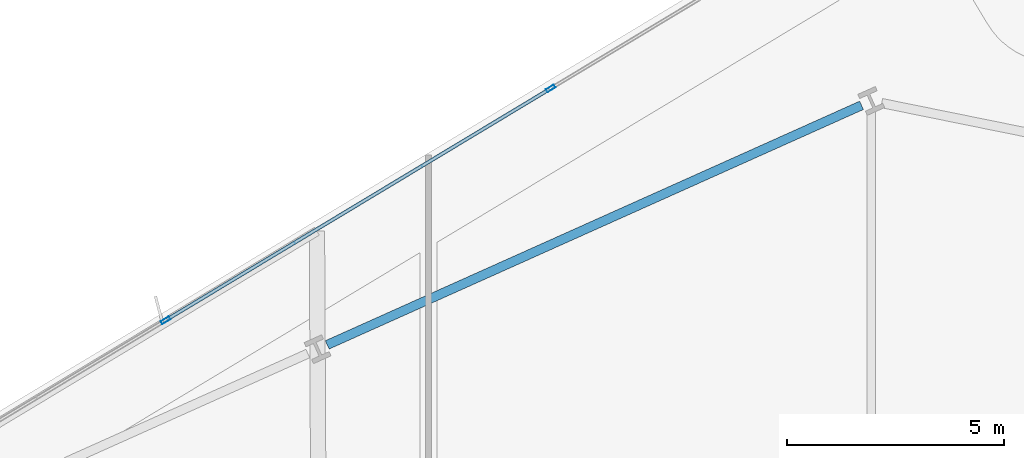
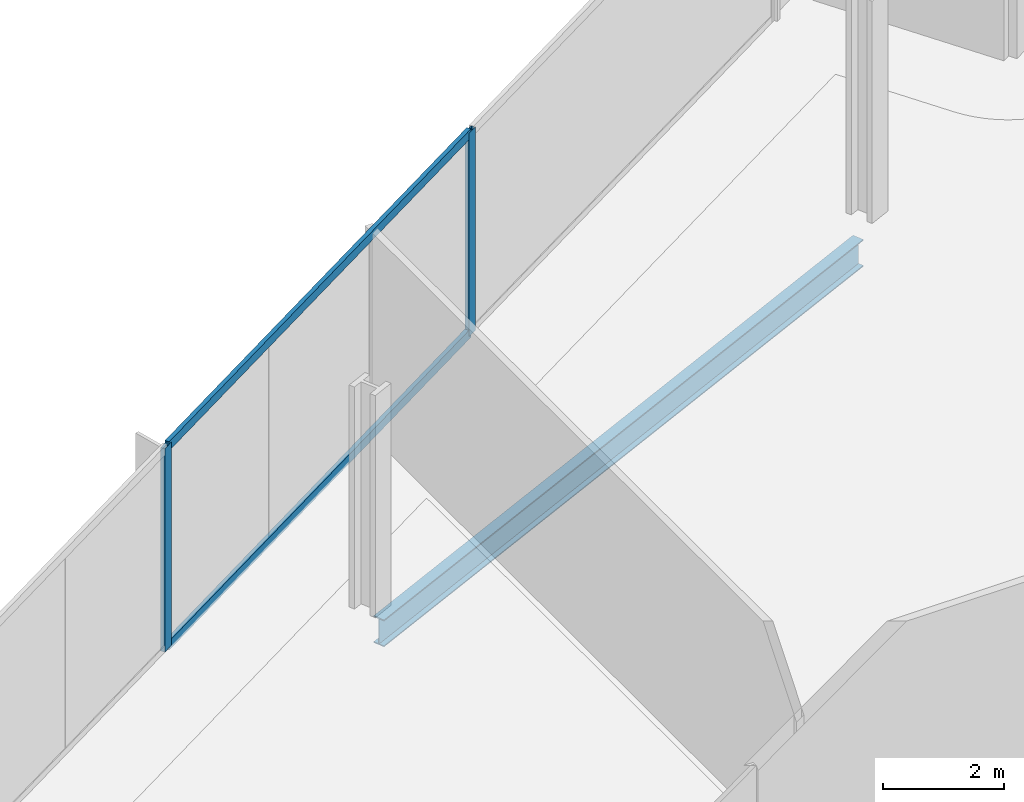
# One storey, part 15 of 30: 4 members, 1 beam, 1 element without a shape of its own.
"""IFC4 building model written with IfcOpenShell, lengths in metres."""

from ifc_helpers import new_model, si_unit, direction, frame, origin, origin_2d, place, context, subcontext, project, spatial, hollow_rectangle, i_section, extrude, material, material_profile, profile_set, type_object, element, aggregate, save


model = new_model("IFC4")

# Units and contexts
model_context = context("Model", 3, precision=1e-05, world=origin(), true_north=direction((0.0, 1.0)))
body_context = subcontext(model_context, "Body", "Model", "MODEL_VIEW")
ifc_project = project(units=[si_unit("LENGTHUNIT", "METRE"), si_unit("AREAUNIT", "SQUARE_METRE"), si_unit("VOLUMEUNIT", "CUBIC_METRE"), si_unit("PLANEANGLEUNIT", "RADIAN"), si_unit("MASSUNIT", "GRAM", prefix="KILO")], contexts=[model_context])

# Site, building, storey
site_placement = place(None, origin())
site = spatial("IfcSite", under=ifc_project, at=site_placement, CompositionType="ELEMENT")
building_placement = place(site_placement, origin())
building = spatial("IfcBuilding", under=site, at=building_placement, Name="Haldenkirk Collegiate Tower", CompositionType="ELEMENT")
storey_placement = place(building_placement, frame((0.0, 0.0, 131.699951171875)))
storey = spatial("IfcBuildingStorey", under=building, at=storey_placement, Name="L32", CompositionType="ELEMENT", Elevation=131.699951171875)

# Beam
ifc_material_1 = material(Name="Steel ASTM A992 Grade 50", Category="steel")
ifc_material_profile_1 = material_profile(ifc_material_1, i_section(OverallWidth=0.2119140625, OverallDepth=0.5439453125, WebThickness=0.01318359375, FlangeThickness=0.021240234375, at=origin_2d()), Name="W21X83")
ifc_profile_set_1 = profile_set([ifc_material_profile_1], Name="Steel ASTM A992 Grade 50")
beam_type = type_object("IfcBeamType", Name="BM-SPANDREL-W21X83", PredefinedType="SPANDREL", material=ifc_profile_set_1)
beam_placement = place(storey_placement, frame((39.4921875, 51.84033203125, -0.6220703125), z_axis=(-0.912476765144, -0.409128528793, 0.0), x_axis=(0.409128528793, -0.912476765144, 0.0)))
element("IfcBeam", 1, at=beam_placement, inside=storey, type_object=beam_type, Name="L32 perimeter spandrel beam 10", PredefinedType="SPANDREL", context=body_context, shape_type="SweptSolid", body=[
    extrude(i_section(OverallWidth=0.2119140625, OverallDepth=0.5439453125, WebThickness=0.01318359375, FlangeThickness=0.021240234375, at=origin_2d()), origin(), (0.0, 0.0, 1.0), 13.512939453125),
])

# Curtain wall, members
ifc_material_2 = material(Name="Anodised architectural bronze aluminium", Category="aluminium")
curtain_wall_type = type_object("IfcCurtainWallType", Name="CW-SYS1-CONVEX-LOW", PredefinedType="USERDEFINED", material=ifc_material_2)
curtain_wall_placement = place(storey_placement, origin())
curtain_wall = element("IfcCurtainWall", 2, at=curtain_wall_placement, inside=storey, type_object=curtain_wall_type, Name="L32 Lower tower convex bronze-framed unitised curtain wall", ObjectType="UNITISED CURTAIN WALL", PredefinedType="USERDEFINED")
ifc_material_profile_2 = material_profile(ifc_material_2, hollow_rectangle(XDim=0.080078125, YDim=0.219970703125, WallThickness=0.0048828125, at=origin_2d()), Name="CW-MUL-1A")
ifc_profile_set_2 = profile_set([ifc_material_profile_2], Name="Anodised architectural bronze aluminium")
member_type_1 = type_object("IfcMemberType", Name="CW-MUL-1A", PredefinedType="MULLION", material=ifc_profile_set_2)
member_1_placement = place(storey_placement, frame((23.43017578125, 46.878173828125, 0.0), z_axis=(0.0, 0.0, 1.0), x_axis=(-0.51578432758, 0.856718464505, 0.0)))
member_1 = element("IfcMember", 3, at=member_1_placement, type_object=member_type_1, Name="CW-1A mullion 3", PredefinedType="MULLION", context=body_context, shape_type="SweptSolid", body=[
    extrude(hollow_rectangle(XDim=0.080078125, YDim=0.219970703125, WallThickness=0.0048828125, at=origin_2d()), origin(), (0.0, 0.0, 1.0), 4.10009765625),
])
member_2_placement = place(storey_placement, frame((32.318603515625, 52.2294921875, 0.0), z_axis=(0.0, 0.0, 1.0), x_axis=(-0.51578432758, 0.856718464505, 0.0)))
member_2 = element("IfcMember", 4, at=member_2_placement, type_object=member_type_1, Name="CW-1A mullion 4", PredefinedType="MULLION", context=body_context, shape_type="SweptSolid", body=[
    extrude(hollow_rectangle(XDim=0.080078125, YDim=0.219970703125, WallThickness=0.0048828125, at=origin_2d()), origin(), (0.0, 0.0, 1.0), 4.10009765625),
])
ifc_material_profile_3 = material_profile(ifc_material_2, hollow_rectangle(XDim=0.080078125, YDim=0.179931640625, WallThickness=0.0048828125, at=origin_2d()), Name="CW-TRN-1A")
ifc_profile_set_3 = profile_set([ifc_material_profile_3], Name="Anodised architectural bronze aluminium")
member_type_2 = type_object("IfcMemberType", Name="CW-TRN-1A", PredefinedType="USERDEFINED", material=ifc_profile_set_3)
member_3_placement = place(storey_placement, frame((23.464599609375, 46.89892578125, 0.0400390625), z_axis=(0.856713547541, 0.515792494575, 0.0), x_axis=(-0.515792494575, 0.856713547541, 0.0)))
member_3 = element("IfcMember", 5, at=member_3_placement, type_object=member_type_2, Name="CW-1A transom 3.1", ObjectType="TRANSOM", PredefinedType="USERDEFINED", context=body_context, shape_type="SweptSolid", body=[
    extrude(hollow_rectangle(XDim=0.080078125, YDim=0.179931640625, WallThickness=0.0048828125, at=origin_2d()), origin(), (0.0, 0.0, 1.0), 10.294921875),
])
member_4_placement = place(storey_placement, frame((23.464599609375, 46.89892578125, 4.06005859375), z_axis=(0.856713547541, 0.515792494575, 0.0), x_axis=(-0.515792494575, 0.856713547541, 0.0)))
member_4 = element("IfcMember", 6, at=member_4_placement, type_object=member_type_2, Name="CW-1A transom 3.2", ObjectType="TRANSOM", PredefinedType="USERDEFINED", context=body_context, shape_type="SweptSolid", body=[
    extrude(hollow_rectangle(XDim=0.080078125, YDim=0.179931640625, WallThickness=0.0048828125, at=origin_2d()), origin(), (0.0, 0.0, 1.0), 10.294921875),
])
aggregate(curtain_wall, [member_1, member_2, member_3, member_4])

save(model, "model.ifc")
